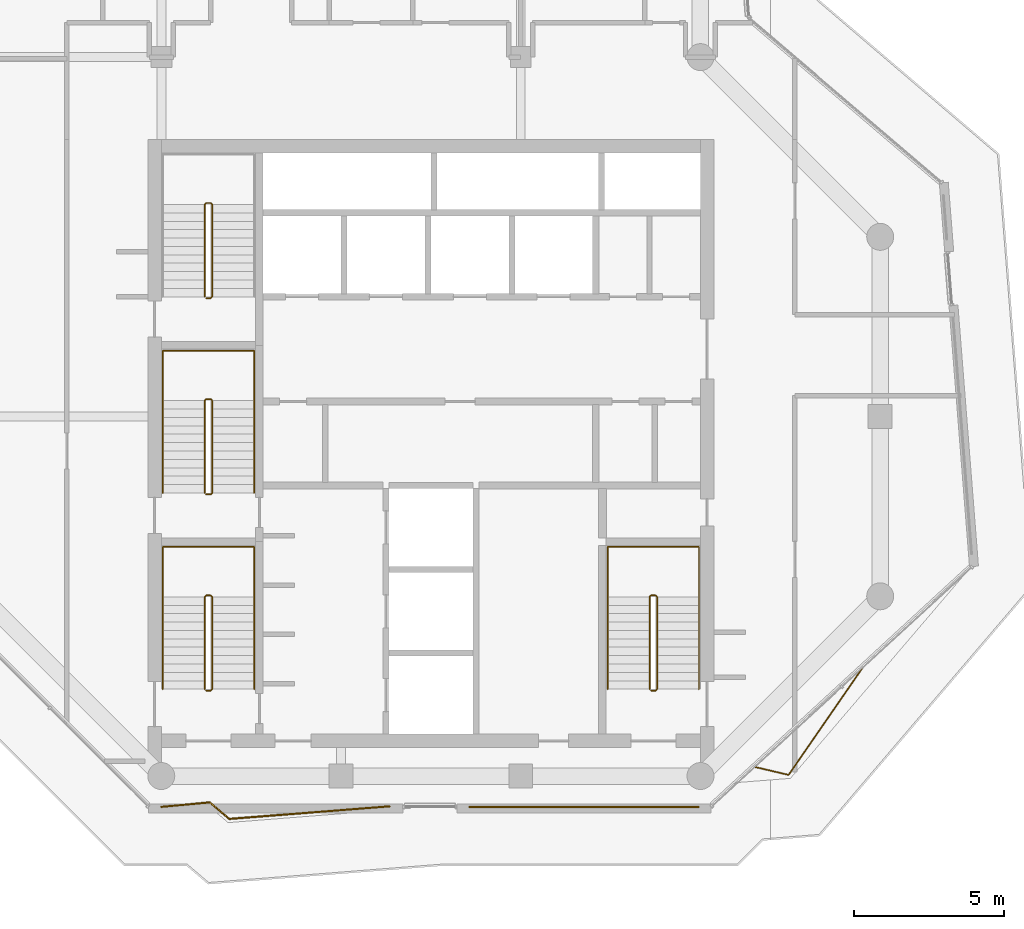
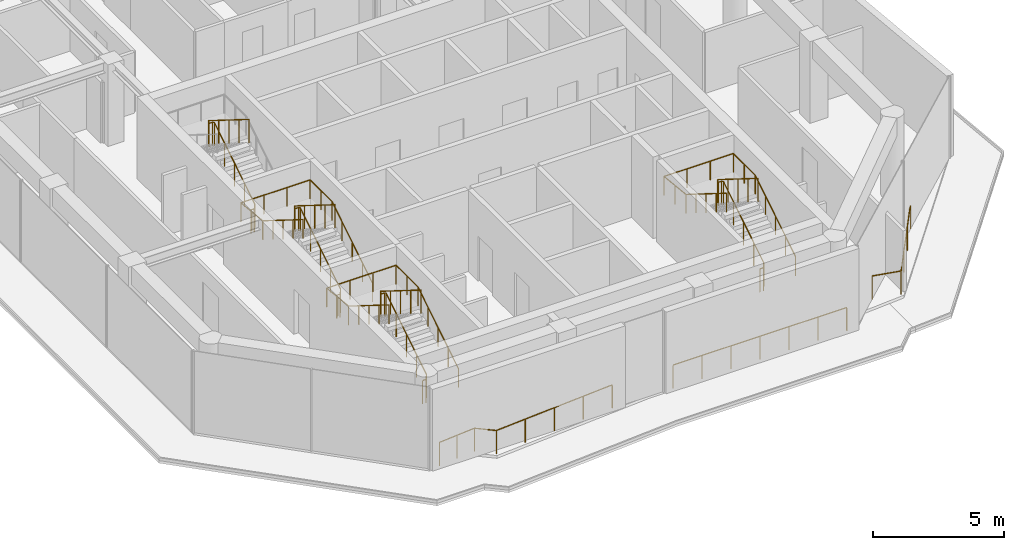
# One storey, part 22 of 23: 10 railings.
"""IFC4 building model written with IfcOpenShell, lengths in metres."""

import ifcopenshell
import ifcopenshell.guid

model = None  # the IFC model being written
_history = None  # IfcOwnerHistory: only IFC2X3 demands one
_inside = {}  # id of a spatial element -> (the spatial element, [elements in it])
_under = {}  # id of a project, library or spatial element -> (it, [spatial elements below it])
_declared = {}  # id of a project -> (the project, [libraries it declares])
_typed = {}  # id of a type object -> (the type object, [elements of that type])
_made_of = {}  # id of a material, layer set ... -> (it, [elements and type objects made of it])


def new_model(schema):
    """Start an empty IFC model of exactly this schema.

    Asked for "IFC4X3", IfcOpenShell would pick the latest addendum, in which some entities
    have other attributes; the version numbers below select the first issue.
    IFC2X3 requires an IfcOwnerHistory on every rooted entity: one is made here for all.
    """
    global model, _history
    if schema == "IFC4X3":
        model = ifcopenshell.file(schema_version=(4, 3, 0, 0))
    else:
        model = ifcopenshell.file(schema=schema)
    _inside.clear()
    _under.clear()
    _declared.clear()
    _typed.clear()
    _made_of.clear()
    _history = None
    if model.schema == "IFC2X3":
        org = make("IfcOrganization", Name="unknown")
        user = make(
            "IfcPersonAndOrganization",
            ThePerson=make("IfcPerson", FamilyName="unknown"),
            TheOrganization=org,
        )
        app = make(
            "IfcApplication",
            ApplicationDeveloper=org,
            Version="unknown",
            ApplicationFullName="unknown",
            ApplicationIdentifier="unknown",
        )
        _history = make(
            "IfcOwnerHistory",
            OwningUser=user,
            OwningApplication=app,
            ChangeAction="ADDED",
            CreationDate=0,
        )
    return model


def make(cls, **values):
    """One entity of the class cls with the attributes given. An attribute that is None is left unset."""
    return model.create_entity(
        cls, **{name: value for name, value in values.items() if value is not None}
    )


def rooted(cls, **values):
    """An entity with a GlobalId (a new one), such as an element, a storey or a relation."""
    return make(cls, GlobalId=ifcopenshell.guid.new(), OwnerHistory=_history, **values)


def si_unit(unit_type, name, prefix=None):
    """IfcSIUnit, for example si_unit("LENGTHUNIT", "METRE", prefix="MILLI")."""
    return make("IfcSIUnit", UnitType=unit_type, Prefix=prefix, Name=name)


def assignment(units):
    """IfcUnitAssignment: the units of a project."""
    return None if units is None else make("IfcUnitAssignment", Units=units)


def point(xyz):
    """IfcCartesianPoint."""
    return None if xyz is None else make("IfcCartesianPoint", Coordinates=xyz)


def direction(xyz):
    """IfcDirection."""
    return None if xyz is None else make("IfcDirection", DirectionRatios=xyz)


def frame(location, z_axis=None, x_axis=None):
    """IfcAxis2Placement3D, a coordinate frame: its origin and axes. An axis left out is left unset."""
    return make(
        "IfcAxis2Placement3D",
        Location=point(location),
        Axis=direction(z_axis),
        RefDirection=direction(x_axis),
    )


def frame_2d(location, x_axis=None):
    """IfcAxis2Placement2D, a coordinate frame in the plane: its origin and x axis."""
    return make(
        "IfcAxis2Placement2D", Location=point(location), RefDirection=direction(x_axis)
    )


def origin():
    """The frame at (0, 0, 0) with its axes left unset."""
    return frame((0.0, 0.0, 0.0))


def origin_2d():
    """The frame at (0, 0) in the plane with its x axis left unset."""
    return frame_2d((0.0, 0.0))


def place(relative_to, where):
    """IfcLocalPlacement: puts the frame where relative to a parent placement (None: the world)."""
    return make(
        "IfcLocalPlacement", PlacementRelTo=relative_to, RelativePlacement=where
    )


def context(
    kind, dimensions, precision=None, world=None, true_north=None, identifier=None
):
    """IfcGeometricRepresentationContext, for example the 3D "Model" context."""
    return make(
        "IfcGeometricRepresentationContext",
        ContextIdentifier=identifier,
        ContextType=kind,
        CoordinateSpaceDimension=dimensions,
        Precision=precision,
        WorldCoordinateSystem=world,
        TrueNorth=true_north,
    )


def subcontext(parent, identifier, kind, view, scale=None):
    """IfcGeometricRepresentationSubContext, for example "Body" below "Model"."""
    return make(
        "IfcGeometricRepresentationSubContext",
        ContextIdentifier=identifier,
        ContextType=kind,
        ParentContext=parent,
        TargetScale=scale,
        TargetView=view,
    )


def project(units=None, contexts=None):
    """IfcProject with its units and contexts."""
    return rooted(
        "IfcProject",
        Name="project",
        RepresentationContexts=contexts,
        UnitsInContext=assignment(units),
    )


def spatial(cls, under=None, at=None, **own):
    """A site, building, storey or space (cls), placed at a placement, below another one or the project."""
    s = rooted(cls, ObjectPlacement=at, **own)
    if under is not None:
        _under.setdefault(under.id(), (under, []))[1].append(s)
    return s


def profile(cls, at=None, kind="AREA", **sizes):
    """A parametric profile (cls). Its sizes go by their IFC names, for example OverallWidth=200.0."""
    return make(cls, ProfileType=kind, Position=at, **sizes)


def circle(**sizes):
    """IfcCircleProfileDef."""
    return profile("IfcCircleProfileDef", **sizes)


def extrude(swept, where, along, depth):
    """IfcExtrudedAreaSolid: the profile swept, set in the frame where, extruded along a direction by depth."""
    return make(
        "IfcExtrudedAreaSolid",
        SweptArea=swept,
        Position=where,
        ExtrudedDirection=direction(along),
        Depth=depth,
    )


def shape(context_of_items, identifier, shape_type, items):
    """IfcShapeRepresentation: the items that make up one representation, for example the "Body"."""
    return make(
        "IfcShapeRepresentation",
        ContextOfItems=context_of_items,
        RepresentationIdentifier=identifier,
        RepresentationType=shape_type,
        Items=items,
    )


def material(Name=None, Category=None):
    """IfcMaterial."""
    return make("IfcMaterial", Name=Name, Category=Category)


def made_of(thing, what):
    """Note that an element or type object is made of a material, layer set ...; save() writes the relation."""
    if what is not None:
        _made_of.setdefault(what.id(), (what, []))[1].append(thing)
    return thing


def type_object(cls, material=None, **own):
    """A type object (cls), such as IfcWallType, which elements share."""
    return made_of(rooted(cls, **own), material)


def element(
    cls,
    number,
    at=None,
    inside=None,
    cuts=None,
    type_object=None,
    material=None,
    context=None,
    identifier="Body",
    shape_type=None,
    held_by="IfcProductDefinitionShape",
    body=None,
    shapes=None,
    **own,
):
    """One element of the class cls, such as IfcWall. Its Tag is "e" and its number.

    at: its placement. inside: the storey or other place that contains it. cuts: it is an
    opening in that element (IfcRelVoidsElement). A single representation is given by context,
    identifier, shape_type and body (its items); several are given by shapes. held_by: the class
    of the entity that holds the representations. save() writes the other relations.
    """
    e = rooted(cls, Tag="e%d" % number, ObjectPlacement=at, **own)
    if body is not None:
        shapes = [shape(context, identifier, shape_type, body)]
    if shapes is not None:
        e.Representation = make(held_by, Representations=shapes)
    if inside is not None:
        _inside.setdefault(inside.id(), (inside, []))[1].append(e)
    if cuts is not None:
        rooted(
            "IfcRelVoidsElement", RelatingBuildingElement=cuts, RelatedOpeningElement=e
        )
    if type_object is not None:
        _typed.setdefault(type_object.id(), (type_object, []))[1].append(e)
    return made_of(e, material)


def aggregate(whole, parts):
    """IfcRelAggregates: a whole, such as a stair, and the parts it consists of."""
    return rooted("IfcRelAggregates", RelatingObject=whole, RelatedObjects=parts)


def save(model, path):
    """Write the relations noted so far, then the file.

    IfcRelAggregates (storeys below a building ...), IfcRelContainedInSpatialStructure (elements
    in a storey), IfcRelDefinesByType, IfcRelAssociatesMaterial and IfcRelDeclares: one each for
    every whole, place, type object, material and project.
    """
    for whole, parts in _under.values():
        aggregate(whole, parts)
    for where, things in _inside.values():
        rooted(
            "IfcRelContainedInSpatialStructure",
            RelatedElements=things,
            RelatingStructure=where,
        )
    for kind, things in _typed.values():
        rooted("IfcRelDefinesByType", RelatedObjects=things, RelatingType=kind)
    for what, things in _made_of.values():
        rooted("IfcRelAssociatesMaterial", RelatedObjects=things, RelatingMaterial=what)
    for by, libraries in _declared.values():
        rooted("IfcRelDeclares", RelatingContext=by, RelatedDefinitions=libraries)
    model.write(path)


model = new_model("IFC4")

# Units and contexts
model_context = context("Model", 3, precision=1e-05, world=origin(), true_north=direction((0.0, 1.0)))
body_context = subcontext(model_context, "Body", "Model", "MODEL_VIEW")
ifc_project = project(units=[si_unit("LENGTHUNIT", "METRE"), si_unit("AREAUNIT", "SQUARE_METRE"), si_unit("VOLUMEUNIT", "CUBIC_METRE"), si_unit("PLANEANGLEUNIT", "RADIAN"), si_unit("MASSUNIT", "GRAM", prefix="KILO")], contexts=[model_context])

# Site, building, storey
site_placement = place(None, origin())
site = spatial("IfcSite", under=ifc_project, at=site_placement, CompositionType="ELEMENT")
building_placement = place(site_placement, origin())
building = spatial("IfcBuilding", under=site, at=building_placement, Name="Welwitschia Terrace Campus", CompositionType="ELEMENT")
storey_placement = place(building_placement, frame((0.0, 0.0, 209.60009765625)))
storey = spatial("IfcBuildingStorey", under=building, at=storey_placement, Name="L46", CompositionType="ELEMENT", Elevation=209.60009765625)

# Railings
ifc_material_1 = material(Name="Stainless steel grade 316", Category="steel")
railing_type_1 = type_object("IfcRailingType", Name="Guard 1100", PredefinedType="GUARDRAIL", material=ifc_material_1)
railing_1_placement = place(storey_placement, frame((13.616943359375, 2.989013671875, 0.0)))
element("IfcRailing", 1, at=railing_1_placement, inside=storey, type_object=railing_type_1, Name="Guard floor edge L46.1", PredefinedType="GUARDRAIL", context=body_context, shape_type="SweptSolid", body=[
    extrude(circle(Radius=0.02392578125, at=origin_2d()), frame((0.0, 0.0, 1.076171875), z_axis=(-0.996917952921, -0.078451227809, 0.0), x_axis=(0.078451227809, -0.996917952921, 0.0)), (0.0, 0.0, 1.0), 5.362060546875),
    extrude(circle(Radius=0.02392578125, at=origin_2d()), frame((-5.345458984375, -0.420654296875, 1.076171875), z_axis=(-0.760391417932, 0.649465081075, 0.0), x_axis=(-0.649465081075, -0.760391417932, 0.0)), (0.0, 0.0, 1.0), 0.849609375),
    extrude(circle(Radius=0.02392578125, at=origin_2d()), frame((-5.991455078125, 0.131103515625, 1.076171875), z_axis=(-0.995776133678, -0.091814441111, 0.0), x_axis=(0.091814441111, -0.995776133678, 0.0)), (0.0, 0.0, 1.0), 1.63525390625),
    extrude(circle(Radius=0.02099609375, at=origin_2d()), origin(), (0.0, 0.0, 1.0), 1.052001953125),
    extrude(circle(Radius=0.02099609375, at=origin_2d()), frame((-1.33642578125, -0.105224609375, 0.0)), (0.0, 0.0, 1.0), 1.052001953125),
    extrude(circle(Radius=0.02099609375, at=origin_2d()), frame((-2.6728515625, -0.21044921875, 0.0)), (0.0, 0.0, 1.0), 1.052001953125),
    extrude(circle(Radius=0.02099609375, at=origin_2d()), frame((-4.009033203125, -0.3154296875, 0.0)), (0.0, 0.0, 1.0), 1.052001953125),
    extrude(circle(Radius=0.02099609375, at=origin_2d()), frame((-5.345458984375, -0.420654296875, 0.0)), (0.0, 0.0, 1.0), 1.052001953125),
    extrude(circle(Radius=0.02099609375, at=origin_2d()), frame((-5.991455078125, 0.131103515625, 0.0)), (0.0, 0.0, 1.0), 1.052001953125),
    extrude(circle(Radius=0.02099609375, at=origin_2d()), frame((-6.8056640625, 0.05615234375, 0.0)), (0.0, 0.0, 1.0), 1.052001953125),
    extrude(circle(Radius=0.02099609375, at=origin_2d()), frame((-7.619873046875, -0.01904296875, 0.0)), (0.0, 0.0, 1.0), 1.052001953125),
])
railing_2_placement = place(storey_placement, frame((23.9345703125, 2.969970703125, 0.0)))
element("IfcRailing", 2, at=railing_2_placement, inside=storey, type_object=railing_type_1, Name="Guard floor edge L46.3", PredefinedType="GUARDRAIL", context=body_context, shape_type="SweptSolid", body=[
    extrude(circle(Radius=0.02392578125, at=origin_2d()), frame((0.0, 0.0, 1.076171875), z_axis=(-1.0, 0.0, 0.0), x_axis=(0.0, -1.0, 0.0)), (0.0, 0.0, 1.0), 7.644775390625),
    extrude(circle(Radius=0.02099609375, at=origin_2d()), origin(), (0.0, 0.0, 1.0), 1.052001953125),
    extrude(circle(Radius=0.02099609375, at=origin_2d()), frame((-1.274169921875, 0.0, 0.0)), (0.0, 0.0, 1.0), 1.052001953125),
    extrude(circle(Radius=0.02099609375, at=origin_2d()), frame((-2.54833984375, 0.0, 0.0)), (0.0, 0.0, 1.0), 1.052001953125),
    extrude(circle(Radius=0.02099609375, at=origin_2d()), frame((-3.822265625, 0.0, 0.0)), (0.0, 0.0, 1.0), 1.052001953125),
    extrude(circle(Radius=0.02099609375, at=origin_2d()), frame((-5.096435546875, 0.0, 0.0)), (0.0, 0.0, 1.0), 1.052001953125),
    extrude(circle(Radius=0.02099609375, at=origin_2d()), frame((-6.37060546875, 0.0, 0.0)), (0.0, 0.0, 1.0), 1.052001953125),
    extrude(circle(Radius=0.02099609375, at=origin_2d()), frame((-7.644775390625, 0.0, 0.0)), (0.0, 0.0, 1.0), 1.052001953125),
])
railing_3_placement = place(storey_placement, frame((29.4189453125, 7.625244140625, 0.0)))
element("IfcRailing", 3, at=railing_3_placement, inside=storey, type_object=railing_type_1, Name="Guard floor edge L46.5", PredefinedType="GUARDRAIL", context=body_context, shape_type="SweptSolid", body=[
    extrude(circle(Radius=0.02392578125, at=origin_2d()), frame((0.0, 0.0, 1.076171875), z_axis=(-0.568082352485, -0.822971713241, 0.0), x_axis=(0.822971713241, -0.568082352485, 0.0)), (0.0, 0.0, 1.0), 4.359130859375),
    extrude(circle(Radius=0.02392578125, at=origin_2d()), frame((-2.476318359375, -3.58740234375, 1.076171875), z_axis=(-0.973601028447, 0.22825651668, 0.0), x_axis=(-0.22825651668, -0.973601028447, 0.0)), (0.0, 0.0, 1.0), 1.164794921875),
    extrude(circle(Radius=0.02099609375, at=origin_2d()), origin(), (0.0, 0.0, 1.0), 1.052001953125),
    extrude(circle(Radius=0.02099609375, at=origin_2d()), frame((-0.825439453125, -1.19580078125, 0.0)), (0.0, 0.0, 1.0), 1.052001953125),
    extrude(circle(Radius=0.02099609375, at=origin_2d()), frame((-1.65087890625, -2.3916015625, 0.0)), (0.0, 0.0, 1.0), 1.052001953125),
    extrude(circle(Radius=0.02099609375, at=origin_2d()), frame((-2.476318359375, -3.58740234375, 0.0)), (0.0, 0.0, 1.0), 1.052001953125),
    extrude(circle(Radius=0.02099609375, at=origin_2d()), frame((-3.6103515625, -3.321533203125, 0.0)), (0.0, 0.0, 1.0), 1.052001953125),
])
ifc_material_2 = material(Name="Steel S355", Category="steel")
railing_type_2 = type_object("IfcRailingType", Name="Stair guard 1100", PredefinedType="GUARDRAIL", material=ifc_material_2)
railing_4_placement = place(storey_placement, frame((7.5, 6.85009765625, 0.0)))
element("IfcRailing", 4, at=railing_4_placement, inside=storey, type_object=railing_type_2, Name="L46 S1 stair guard", PredefinedType="GUARDRAIL", context=body_context, shape_type="SweptSolid", body=[
    extrude(circle(Radius=0.02392578125, at=origin_2d()), frame((0.0, 0.0, 1.076171875), z_axis=(1.0, 0.0, 0.0), x_axis=(0.0, 1.0, 0.0)), (0.0, 0.0, 1.0), 0.14990234375),
    extrude(circle(Radius=0.02392578125, at=origin_2d()), frame((0.14990234375, 0.0, 1.076171875), z_axis=(0.265474339444, 0.264179342666, 0.927217692888), x_axis=(-0.705375805398, 0.708833529934, 0.0)), (0.0, 0.0, 1.0), 0.1884765625),
    extrude(circle(Radius=0.02392578125, at=origin_2d()), frame((0.199951171875, 0.0498046875, 1.2509765625), z_axis=(0.0, 0.847998304005, 0.529998940003), x_axis=(-1.0, 0.0, 0.0)), (0.0, 0.0, 1.0), 3.632080078125),
    extrude(circle(Radius=0.02392578125, at=origin_2d()), frame((0.199951171875, 3.1298828125, 3.17578125), z_axis=(-0.707106781187, 0.707106781187, 0.0), x_axis=(-0.707106781187, -0.707106781187, 0.0)), (0.0, 0.0, 1.0), 0.07080078125),
    extrude(circle(Radius=0.02392578125, at=origin_2d()), frame((0.14990234375, 3.179931640625, 3.17578125), z_axis=(-1.0, 0.0, 0.0), x_axis=(0.0, -1.0, 0.0)), (0.0, 0.0, 1.0), 0.14990234375),
    extrude(circle(Radius=0.02392578125, at=origin_2d()), frame((0.0, 3.179931640625, 3.17578125), z_axis=(-0.265065253269, -0.265065253269, 0.927081885822), x_axis=(0.707106781187, -0.707106781187, 0.0)), (0.0, 0.0, 1.0), 0.188720703125),
    extrude(circle(Radius=0.02392578125, at=origin_2d()), frame((-0.050048828125, 3.1298828125, 3.35107421875), z_axis=(0.0, -0.847998304005, 0.529998940003), x_axis=(1.0, 0.0, 0.0)), (0.0, 0.0, 1.0), 3.632080078125),
    extrude(circle(Radius=0.02099609375, at=origin_2d()), origin(), (0.0, 0.0, 1.0), 1.052001953125),
    extrude(circle(Radius=0.02099609375, at=origin_2d()), frame((0.14990234375, 0.0, 0.0)), (0.0, 0.0, 1.0), 1.052001953125),
    extrude(circle(Radius=0.02099609375, at=origin_2d()), frame((0.199951171875, 0.0498046875, 0.1748046875)), (0.0, 0.0, 1.0), 1.052001953125),
    extrude(circle(Radius=0.02099609375, at=origin_2d()), frame((0.199951171875, 0.81982421875, 0.656005859375)), (0.0, 0.0, 1.0), 1.052001953125),
    extrude(circle(Radius=0.02099609375, at=origin_2d()), frame((0.199951171875, 1.58984375, 1.13720703125)), (0.0, 0.0, 1.0), 1.052001953125),
    extrude(circle(Radius=0.02099609375, at=origin_2d()), frame((0.199951171875, 2.35986328125, 1.61865234375)), (0.0, 0.0, 1.0), 1.052001953125),
    extrude(circle(Radius=0.02099609375, at=origin_2d()), frame((0.199951171875, 3.1298828125, 2.099853515625)), (0.0, 0.0, 1.0), 1.052001953125),
    extrude(circle(Radius=0.02099609375, at=origin_2d()), frame((0.14990234375, 3.179931640625, 2.099853515625)), (0.0, 0.0, 1.0), 1.052001953125),
    extrude(circle(Radius=0.02099609375, at=origin_2d()), frame((0.0, 3.179931640625, 2.099853515625)), (0.0, 0.0, 1.0), 1.052001953125),
    extrude(circle(Radius=0.02099609375, at=origin_2d()), frame((-0.050048828125, 3.1298828125, 2.27490234375)), (0.0, 0.0, 1.0), 1.052001953125),
    extrude(circle(Radius=0.02099609375, at=origin_2d()), frame((-0.050048828125, 2.35986328125, 2.756103515625)), (0.0, 0.0, 1.0), 1.052001953125),
    extrude(circle(Radius=0.02099609375, at=origin_2d()), frame((-0.050048828125, 1.58984375, 3.2373046875)), (0.0, 0.0, 1.0), 1.052001953125),
    extrude(circle(Radius=0.02099609375, at=origin_2d()), frame((-0.050048828125, 0.81982421875, 3.71875)), (0.0, 0.0, 1.0), 1.052001953125),
    extrude(circle(Radius=0.02099609375, at=origin_2d()), frame((-0.050048828125, 0.0498046875, 4.199951171875)), (0.0, 0.0, 1.0), 1.052001953125),
])
railing_5_placement = place(storey_placement, frame((7.5, 13.39990234375, 0.0)))
element("IfcRailing", 5, at=railing_5_placement, inside=storey, type_object=railing_type_2, Name="L46 S3 stair guard", PredefinedType="GUARDRAIL", context=body_context, shape_type="SweptSolid", body=[
    extrude(circle(Radius=0.02392578125, at=origin_2d()), frame((0.0, 0.0, 1.076171875), z_axis=(1.0, 0.0, 0.0), x_axis=(0.0, 1.0, 0.0)), (0.0, 0.0, 1.0), 0.14990234375),
    extrude(circle(Radius=0.02392578125, at=origin_2d()), frame((0.14990234375, 0.0, 1.076171875), z_axis=(0.265383341853, 0.265383341853, 0.926899867156), x_axis=(-0.707106781187, 0.707106781187, 0.0)), (0.0, 0.0, 1.0), 0.1884765625),
    extrude(circle(Radius=0.02392578125, at=origin_2d()), frame((0.199951171875, 0.050048828125, 1.2509765625), z_axis=(0.0, 0.847998304005, 0.529998940003), x_axis=(-1.0, 0.0, 0.0)), (0.0, 0.0, 1.0), 3.632080078125),
    extrude(circle(Radius=0.02392578125, at=origin_2d()), frame((0.199951171875, 3.130126953125, 3.17578125), z_axis=(-0.707106781187, 0.707106781187, 0.0), x_axis=(-0.707106781187, -0.707106781187, 0.0)), (0.0, 0.0, 1.0), 0.07080078125),
    extrude(circle(Radius=0.02392578125, at=origin_2d()), frame((0.14990234375, 3.18017578125, 3.17578125), z_axis=(-1.0, 0.0, 0.0), x_axis=(0.0, -1.0, 0.0)), (0.0, 0.0, 1.0), 0.14990234375),
    extrude(circle(Radius=0.02392578125, at=origin_2d()), frame((0.0, 3.18017578125, 3.17578125), z_axis=(-0.265065253269, -0.265065253269, 0.927081885822), x_axis=(0.707106781187, -0.707106781187, 0.0)), (0.0, 0.0, 1.0), 0.188720703125),
    extrude(circle(Radius=0.02392578125, at=origin_2d()), frame((-0.050048828125, 3.130126953125, 3.35107421875), z_axis=(0.0, -0.847998304005, 0.529998940003), x_axis=(1.0, 0.0, 0.0)), (0.0, 0.0, 1.0), 3.632080078125),
    extrude(circle(Radius=0.02099609375, at=origin_2d()), origin(), (0.0, 0.0, 1.0), 1.052001953125),
    extrude(circle(Radius=0.02099609375, at=origin_2d()), frame((0.14990234375, 0.0, 0.0)), (0.0, 0.0, 1.0), 1.052001953125),
    extrude(circle(Radius=0.02099609375, at=origin_2d()), frame((0.199951171875, 0.050048828125, 0.1748046875)), (0.0, 0.0, 1.0), 1.052001953125),
    extrude(circle(Radius=0.02099609375, at=origin_2d()), frame((0.199951171875, 0.820068359375, 0.656005859375)), (0.0, 0.0, 1.0), 1.052001953125),
    extrude(circle(Radius=0.02099609375, at=origin_2d()), frame((0.199951171875, 1.590087890625, 1.13720703125)), (0.0, 0.0, 1.0), 1.052001953125),
    extrude(circle(Radius=0.02099609375, at=origin_2d()), frame((0.199951171875, 2.360107421875, 1.61865234375)), (0.0, 0.0, 1.0), 1.052001953125),
    extrude(circle(Radius=0.02099609375, at=origin_2d()), frame((0.199951171875, 3.130126953125, 2.099853515625)), (0.0, 0.0, 1.0), 1.052001953125),
    extrude(circle(Radius=0.02099609375, at=origin_2d()), frame((0.14990234375, 3.18017578125, 2.099853515625)), (0.0, 0.0, 1.0), 1.052001953125),
    extrude(circle(Radius=0.02099609375, at=origin_2d()), frame((0.0, 3.18017578125, 2.099853515625)), (0.0, 0.0, 1.0), 1.052001953125),
    extrude(circle(Radius=0.02099609375, at=origin_2d()), frame((-0.050048828125, 3.130126953125, 2.27490234375)), (0.0, 0.0, 1.0), 1.052001953125),
    extrude(circle(Radius=0.02099609375, at=origin_2d()), frame((-0.050048828125, 2.360107421875, 2.756103515625)), (0.0, 0.0, 1.0), 1.052001953125),
    extrude(circle(Radius=0.02099609375, at=origin_2d()), frame((-0.050048828125, 1.590087890625, 3.2373046875)), (0.0, 0.0, 1.0), 1.052001953125),
    extrude(circle(Radius=0.02099609375, at=origin_2d()), frame((-0.050048828125, 0.820068359375, 3.71875)), (0.0, 0.0, 1.0), 1.052001953125),
    extrude(circle(Radius=0.02099609375, at=origin_2d()), frame((-0.050048828125, 0.050048828125, 4.199951171875)), (0.0, 0.0, 1.0), 1.052001953125),
])
railing_6_placement = place(storey_placement, frame((7.5, 19.949951171875, 0.0)))
element("IfcRailing", 6, at=railing_6_placement, inside=storey, type_object=railing_type_2, Name="L46 S4 stair guard", PredefinedType="GUARDRAIL", context=body_context, shape_type="SweptSolid", body=[
    extrude(circle(Radius=0.02392578125, at=origin_2d()), frame((0.0, 0.0, 1.076171875), z_axis=(1.0, 0.0, 0.0), x_axis=(0.0, 1.0, 0.0)), (0.0, 0.0, 1.0), 0.14990234375),
    extrude(circle(Radius=0.02392578125, at=origin_2d()), frame((0.14990234375, 0.0, 1.076171875), z_axis=(0.265383341853, 0.265383341853, 0.926899867156), x_axis=(-0.707106781187, 0.707106781187, 0.0)), (0.0, 0.0, 1.0), 0.1884765625),
    extrude(circle(Radius=0.02392578125, at=origin_2d()), frame((0.199951171875, 0.050048828125, 1.2509765625), z_axis=(0.0, 0.847998304005, 0.529998940003), x_axis=(-1.0, 0.0, 0.0)), (0.0, 0.0, 1.0), 3.632080078125),
    extrude(circle(Radius=0.02392578125, at=origin_2d()), frame((0.199951171875, 3.130126953125, 3.17578125), z_axis=(-0.708833529934, 0.705375805398, 0.0), x_axis=(-0.705375805398, -0.708833529934, 0.0)), (0.0, 0.0, 1.0), 0.070556640625),
    extrude(circle(Radius=0.02392578125, at=origin_2d()), frame((0.14990234375, 3.179931640625, 3.17578125), z_axis=(-1.0, 0.0, 0.0), x_axis=(0.0, -1.0, 0.0)), (0.0, 0.0, 1.0), 0.14990234375),
    extrude(circle(Radius=0.02392578125, at=origin_2d()), frame((0.0, 3.179931640625, 3.17578125), z_axis=(-0.265155923931, -0.263862480399, 0.927399011991), x_axis=(0.705375805398, -0.708833529934, 0.0)), (0.0, 0.0, 1.0), 0.188720703125),
    extrude(circle(Radius=0.02392578125, at=origin_2d()), frame((-0.050048828125, 3.130126953125, 3.35107421875), z_axis=(0.0, -0.847998304005, 0.529998940003), x_axis=(1.0, 0.0, 0.0)), (0.0, 0.0, 1.0), 3.632080078125),
    extrude(circle(Radius=0.02099609375, at=origin_2d()), origin(), (0.0, 0.0, 1.0), 1.052001953125),
    extrude(circle(Radius=0.02099609375, at=origin_2d()), frame((0.14990234375, 0.0, 0.0)), (0.0, 0.0, 1.0), 1.052001953125),
    extrude(circle(Radius=0.02099609375, at=origin_2d()), frame((0.199951171875, 0.050048828125, 0.1748046875)), (0.0, 0.0, 1.0), 1.052001953125),
    extrude(circle(Radius=0.02099609375, at=origin_2d()), frame((0.199951171875, 0.820068359375, 0.656005859375)), (0.0, 0.0, 1.0), 1.052001953125),
    extrude(circle(Radius=0.02099609375, at=origin_2d()), frame((0.199951171875, 1.590087890625, 1.13720703125)), (0.0, 0.0, 1.0), 1.052001953125),
    extrude(circle(Radius=0.02099609375, at=origin_2d()), frame((0.199951171875, 2.360107421875, 1.61865234375)), (0.0, 0.0, 1.0), 1.052001953125),
    extrude(circle(Radius=0.02099609375, at=origin_2d()), frame((0.199951171875, 3.130126953125, 2.099853515625)), (0.0, 0.0, 1.0), 1.052001953125),
    extrude(circle(Radius=0.02099609375, at=origin_2d()), frame((0.14990234375, 3.179931640625, 2.099853515625)), (0.0, 0.0, 1.0), 1.052001953125),
    extrude(circle(Radius=0.02099609375, at=origin_2d()), frame((0.0, 3.179931640625, 2.099853515625)), (0.0, 0.0, 1.0), 1.052001953125),
    extrude(circle(Radius=0.02099609375, at=origin_2d()), frame((-0.050048828125, 3.130126953125, 2.27490234375)), (0.0, 0.0, 1.0), 1.052001953125),
    extrude(circle(Radius=0.02099609375, at=origin_2d()), frame((-0.050048828125, 2.360107421875, 2.756103515625)), (0.0, 0.0, 1.0), 1.052001953125),
    extrude(circle(Radius=0.02099609375, at=origin_2d()), frame((-0.050048828125, 1.590087890625, 3.2373046875)), (0.0, 0.0, 1.0), 1.052001953125),
    extrude(circle(Radius=0.02099609375, at=origin_2d()), frame((-0.050048828125, 0.820068359375, 3.71875)), (0.0, 0.0, 1.0), 1.052001953125),
    extrude(circle(Radius=0.02099609375, at=origin_2d()), frame((-0.050048828125, 0.050048828125, 4.199951171875)), (0.0, 0.0, 1.0), 1.052001953125),
])
railing_7_placement = place(storey_placement, frame((22.35009765625, 6.85009765625, 0.0)))
element("IfcRailing", 7, at=railing_7_placement, inside=storey, type_object=railing_type_2, Name="L46 S2 stair guard", PredefinedType="GUARDRAIL", context=body_context, shape_type="SweptSolid", body=[
    extrude(circle(Radius=0.02392578125, at=origin_2d()), frame((0.0, 0.0, 1.076171875), z_axis=(1.0, 0.0, 0.0), x_axis=(0.0, 1.0, 0.0)), (0.0, 0.0, 1.0), 0.14990234375),
    extrude(circle(Radius=0.02392578125, at=origin_2d()), frame((0.14990234375, 0.0, 1.076171875), z_axis=(0.265474339444, 0.264179342666, 0.927217692888), x_axis=(-0.705375805398, 0.708833529934, 0.0)), (0.0, 0.0, 1.0), 0.1884765625),
    extrude(circle(Radius=0.02392578125, at=origin_2d()), frame((0.199951171875, 0.0498046875, 1.2509765625), z_axis=(0.0, 0.847998304005, 0.529998940003), x_axis=(-1.0, 0.0, 0.0)), (0.0, 0.0, 1.0), 3.632080078125),
    extrude(circle(Radius=0.02392578125, at=origin_2d()), frame((0.199951171875, 3.1298828125, 3.17578125), z_axis=(-0.707106781187, 0.707106781187, 0.0), x_axis=(-0.707106781187, -0.707106781187, 0.0)), (0.0, 0.0, 1.0), 0.07080078125),
    extrude(circle(Radius=0.02392578125, at=origin_2d()), frame((0.14990234375, 3.179931640625, 3.17578125), z_axis=(-1.0, 0.0, 0.0), x_axis=(0.0, -1.0, 0.0)), (0.0, 0.0, 1.0), 0.14990234375),
    extrude(circle(Radius=0.02392578125, at=origin_2d()), frame((0.0, 3.179931640625, 3.17578125), z_axis=(-0.265065253269, -0.265065253269, 0.927081885822), x_axis=(0.707106781187, -0.707106781187, 0.0)), (0.0, 0.0, 1.0), 0.188720703125),
    extrude(circle(Radius=0.02392578125, at=origin_2d()), frame((-0.050048828125, 3.1298828125, 3.35107421875), z_axis=(0.0, -0.847998304005, 0.529998940003), x_axis=(1.0, 0.0, 0.0)), (0.0, 0.0, 1.0), 3.632080078125),
    extrude(circle(Radius=0.02099609375, at=origin_2d()), origin(), (0.0, 0.0, 1.0), 1.052001953125),
    extrude(circle(Radius=0.02099609375, at=origin_2d()), frame((0.14990234375, 0.0, 0.0)), (0.0, 0.0, 1.0), 1.052001953125),
    extrude(circle(Radius=0.02099609375, at=origin_2d()), frame((0.199951171875, 0.0498046875, 0.1748046875)), (0.0, 0.0, 1.0), 1.052001953125),
    extrude(circle(Radius=0.02099609375, at=origin_2d()), frame((0.199951171875, 0.81982421875, 0.656005859375)), (0.0, 0.0, 1.0), 1.052001953125),
    extrude(circle(Radius=0.02099609375, at=origin_2d()), frame((0.199951171875, 1.58984375, 1.13720703125)), (0.0, 0.0, 1.0), 1.052001953125),
    extrude(circle(Radius=0.02099609375, at=origin_2d()), frame((0.199951171875, 2.35986328125, 1.61865234375)), (0.0, 0.0, 1.0), 1.052001953125),
    extrude(circle(Radius=0.02099609375, at=origin_2d()), frame((0.199951171875, 3.1298828125, 2.099853515625)), (0.0, 0.0, 1.0), 1.052001953125),
    extrude(circle(Radius=0.02099609375, at=origin_2d()), frame((0.14990234375, 3.179931640625, 2.099853515625)), (0.0, 0.0, 1.0), 1.052001953125),
    extrude(circle(Radius=0.02099609375, at=origin_2d()), frame((0.0, 3.179931640625, 2.099853515625)), (0.0, 0.0, 1.0), 1.052001953125),
    extrude(circle(Radius=0.02099609375, at=origin_2d()), frame((-0.050048828125, 3.1298828125, 2.27490234375)), (0.0, 0.0, 1.0), 1.052001953125),
    extrude(circle(Radius=0.02099609375, at=origin_2d()), frame((-0.050048828125, 2.35986328125, 2.756103515625)), (0.0, 0.0, 1.0), 1.052001953125),
    extrude(circle(Radius=0.02099609375, at=origin_2d()), frame((-0.050048828125, 1.58984375, 3.2373046875)), (0.0, 0.0, 1.0), 1.052001953125),
    extrude(circle(Radius=0.02099609375, at=origin_2d()), frame((-0.050048828125, 0.81982421875, 3.71875)), (0.0, 0.0, 1.0), 1.052001953125),
    extrude(circle(Radius=0.02099609375, at=origin_2d()), frame((-0.050048828125, 0.0498046875, 4.199951171875)), (0.0, 0.0, 1.0), 1.052001953125),
])
ifc_material_3 = material(Name="Steel S355", Category="steel")
railing_type_3 = type_object("IfcRailingType", Name="Stair handrail 900", PredefinedType="HANDRAIL", material=ifc_material_3)
railing_8_placement = place(storey_placement, frame((9.10009765625, 6.89990234375, 0.1748046875)))
element("IfcRailing", 8, at=railing_8_placement, inside=storey, type_object=railing_type_3, Name="L46 S1 stair handrail", PredefinedType="HANDRAIL", context=body_context, shape_type="SweptSolid", body=[
    extrude(circle(Radius=0.02392578125, at=origin_2d()), frame((0.0, 0.0, 0.8759765625), z_axis=(0.0, 0.847998304005, 0.529998940003), x_axis=(-1.0, 0.0, 0.0)), (0.0, 0.0, 1.0), 3.632080078125),
    extrude(circle(Radius=0.02392578125, at=origin_2d()), frame((0.0, 3.080078125, 2.80078125), z_axis=(0.0, 1.0, 0.0), x_axis=(-1.0, 0.0, 0.0)), (0.0, 0.0, 1.0), 1.669921875),
    extrude(circle(Radius=0.02392578125, at=origin_2d()), frame((0.0, 4.75, 2.80078125), z_axis=(-1.0, 0.0, 0.0), x_axis=(0.0, -1.0, 0.0)), (0.0, 0.0, 1.0), 3.050048828125),
    extrude(circle(Radius=0.02392578125, at=origin_2d()), frame((-3.050048828125, 4.75, 2.80078125), z_axis=(0.0, -0.99455077262, 0.104253348533), x_axis=(1.0, 0.0, 0.0)), (0.0, 0.0, 1.0), 1.678955078125),
    extrude(circle(Radius=0.02392578125, at=origin_2d()), frame((-3.050048828125, 3.080078125, 2.97607421875), z_axis=(0.0, -0.847998304005, 0.529998940003), x_axis=(1.0, 0.0, 0.0)), (0.0, 0.0, 1.0), 3.632080078125),
    extrude(circle(Radius=0.02099609375, at=origin_2d()), origin(), (0.0, 0.0, 1.0), 0.851806640625),
    extrude(circle(Radius=0.02099609375, at=origin_2d()), frame((0.0, 0.77001953125, 0.481201171875)), (0.0, 0.0, 1.0), 0.851806640625),
    extrude(circle(Radius=0.02099609375, at=origin_2d()), frame((0.0, 1.5400390625, 0.96240234375)), (0.0, 0.0, 1.0), 0.851806640625),
    extrude(circle(Radius=0.02099609375, at=origin_2d()), frame((0.0, 2.31005859375, 1.44384765625)), (0.0, 0.0, 1.0), 0.851806640625),
    extrude(circle(Radius=0.02099609375, at=origin_2d()), frame((0.0, 3.080078125, 1.925048828125)), (0.0, 0.0, 1.0), 0.851806640625),
    extrude(circle(Radius=0.02099609375, at=origin_2d()), frame((0.0, 3.9150390625, 1.925048828125)), (0.0, 0.0, 1.0), 0.851806640625),
    extrude(circle(Radius=0.02099609375, at=origin_2d()), frame((0.0, 4.75, 1.925048828125)), (0.0, 0.0, 1.0), 0.851806640625),
    extrude(circle(Radius=0.02099609375, at=origin_2d()), frame((-1.0166015625, 4.75, 1.925048828125)), (0.0, 0.0, 1.0), 0.851806640625),
    extrude(circle(Radius=0.02099609375, at=origin_2d()), frame((-2.033447265625, 4.75, 1.925048828125)), (0.0, 0.0, 1.0), 0.851806640625),
    extrude(circle(Radius=0.02099609375, at=origin_2d()), frame((-3.050048828125, 4.75, 1.925048828125)), (0.0, 0.0, 1.0), 0.851806640625),
    extrude(circle(Radius=0.02099609375, at=origin_2d()), frame((-3.050048828125, 3.9150390625, 2.0126953125)), (0.0, 0.0, 1.0), 0.851806640625),
    extrude(circle(Radius=0.02099609375, at=origin_2d()), frame((-3.050048828125, 3.080078125, 2.10009765625)), (0.0, 0.0, 1.0), 0.851806640625),
    extrude(circle(Radius=0.02099609375, at=origin_2d()), frame((-3.050048828125, 2.31005859375, 2.581298828125)), (0.0, 0.0, 1.0), 0.851806640625),
    extrude(circle(Radius=0.02099609375, at=origin_2d()), frame((-3.050048828125, 1.5400390625, 3.0625)), (0.0, 0.0, 1.0), 0.851806640625),
    extrude(circle(Radius=0.02099609375, at=origin_2d()), frame((-3.050048828125, 0.77001953125, 3.5439453125)), (0.0, 0.0, 1.0), 0.851806640625),
    extrude(circle(Radius=0.02099609375, at=origin_2d()), frame((-3.050048828125, 0.0, 4.025146484375)), (0.0, 0.0, 1.0), 0.851806640625),
])
railing_9_placement = place(storey_placement, frame((9.10009765625, 13.449951171875, 0.1748046875)))
element("IfcRailing", 9, at=railing_9_placement, inside=storey, type_object=railing_type_3, Name="L46 S3 stair handrail", PredefinedType="HANDRAIL", context=body_context, shape_type="SweptSolid", body=[
    extrude(circle(Radius=0.02392578125, at=origin_2d()), frame((0.0, 0.0, 0.8759765625), z_axis=(0.0, 0.847998304005, 0.529998940003), x_axis=(-1.0, 0.0, 0.0)), (0.0, 0.0, 1.0), 3.632080078125),
    extrude(circle(Radius=0.02392578125, at=origin_2d()), frame((0.0, 3.080078125, 2.80078125), z_axis=(0.0, 1.0, 0.0), x_axis=(-1.0, 0.0, 0.0)), (0.0, 0.0, 1.0), 1.669921875),
    extrude(circle(Radius=0.02392578125, at=origin_2d()), frame((0.0, 4.75, 2.80078125), z_axis=(-1.0, 0.0, 0.0), x_axis=(0.0, -1.0, 0.0)), (0.0, 0.0, 1.0), 3.050048828125),
    extrude(circle(Radius=0.02392578125, at=origin_2d()), frame((-3.050048828125, 4.75, 2.80078125), z_axis=(0.0, -0.99455077262, 0.104253348533), x_axis=(1.0, 0.0, 0.0)), (0.0, 0.0, 1.0), 1.678955078125),
    extrude(circle(Radius=0.02392578125, at=origin_2d()), frame((-3.050048828125, 3.080078125, 2.97607421875), z_axis=(0.0, -0.847998304005, 0.529998940003), x_axis=(1.0, 0.0, 0.0)), (0.0, 0.0, 1.0), 3.632080078125),
    extrude(circle(Radius=0.02099609375, at=origin_2d()), origin(), (0.0, 0.0, 1.0), 0.851806640625),
    extrude(circle(Radius=0.02099609375, at=origin_2d()), frame((0.0, 0.77001953125, 0.481201171875)), (0.0, 0.0, 1.0), 0.851806640625),
    extrude(circle(Radius=0.02099609375, at=origin_2d()), frame((0.0, 1.5400390625, 0.96240234375)), (0.0, 0.0, 1.0), 0.851806640625),
    extrude(circle(Radius=0.02099609375, at=origin_2d()), frame((0.0, 2.31005859375, 1.44384765625)), (0.0, 0.0, 1.0), 0.851806640625),
    extrude(circle(Radius=0.02099609375, at=origin_2d()), frame((0.0, 3.080078125, 1.925048828125)), (0.0, 0.0, 1.0), 0.851806640625),
    extrude(circle(Radius=0.02099609375, at=origin_2d()), frame((0.0, 3.9150390625, 1.925048828125)), (0.0, 0.0, 1.0), 0.851806640625),
    extrude(circle(Radius=0.02099609375, at=origin_2d()), frame((0.0, 4.75, 1.925048828125)), (0.0, 0.0, 1.0), 0.851806640625),
    extrude(circle(Radius=0.02099609375, at=origin_2d()), frame((-1.0166015625, 4.75, 1.925048828125)), (0.0, 0.0, 1.0), 0.851806640625),
    extrude(circle(Radius=0.02099609375, at=origin_2d()), frame((-2.033447265625, 4.75, 1.925048828125)), (0.0, 0.0, 1.0), 0.851806640625),
    extrude(circle(Radius=0.02099609375, at=origin_2d()), frame((-3.050048828125, 4.75, 1.925048828125)), (0.0, 0.0, 1.0), 0.851806640625),
    extrude(circle(Radius=0.02099609375, at=origin_2d()), frame((-3.050048828125, 3.9150390625, 2.0126953125)), (0.0, 0.0, 1.0), 0.851806640625),
    extrude(circle(Radius=0.02099609375, at=origin_2d()), frame((-3.050048828125, 3.080078125, 2.10009765625)), (0.0, 0.0, 1.0), 0.851806640625),
    extrude(circle(Radius=0.02099609375, at=origin_2d()), frame((-3.050048828125, 2.31005859375, 2.581298828125)), (0.0, 0.0, 1.0), 0.851806640625),
    extrude(circle(Radius=0.02099609375, at=origin_2d()), frame((-3.050048828125, 1.5400390625, 3.0625)), (0.0, 0.0, 1.0), 0.851806640625),
    extrude(circle(Radius=0.02099609375, at=origin_2d()), frame((-3.050048828125, 0.77001953125, 3.5439453125)), (0.0, 0.0, 1.0), 0.851806640625),
    extrude(circle(Radius=0.02099609375, at=origin_2d()), frame((-3.050048828125, 0.0, 4.025146484375)), (0.0, 0.0, 1.0), 0.851806640625),
])
railing_10_placement = place(storey_placement, frame((23.949951171875, 6.89990234375, 0.1748046875)))
element("IfcRailing", 10, at=railing_10_placement, inside=storey, type_object=railing_type_3, Name="L46 S2 stair handrail", PredefinedType="HANDRAIL", context=body_context, shape_type="SweptSolid", body=[
    extrude(circle(Radius=0.02392578125, at=origin_2d()), frame((0.0, 0.0, 0.8759765625), z_axis=(0.0, 0.847998304005, 0.529998940003), x_axis=(-1.0, 0.0, 0.0)), (0.0, 0.0, 1.0), 3.632080078125),
    extrude(circle(Radius=0.02392578125, at=origin_2d()), frame((0.0, 3.080078125, 2.80078125), z_axis=(0.0, 1.0, 0.0), x_axis=(-1.0, 0.0, 0.0)), (0.0, 0.0, 1.0), 1.669921875),
    extrude(circle(Radius=0.02392578125, at=origin_2d()), frame((0.0, 4.75, 2.80078125), z_axis=(-1.0, 0.0, 0.0), x_axis=(0.0, -1.0, 0.0)), (0.0, 0.0, 1.0), 3.050048828125),
    extrude(circle(Radius=0.02392578125, at=origin_2d()), frame((-3.050048828125, 4.75, 2.80078125), z_axis=(0.0, -0.99455077262, 0.104253348533), x_axis=(1.0, 0.0, 0.0)), (0.0, 0.0, 1.0), 1.678955078125),
    extrude(circle(Radius=0.02392578125, at=origin_2d()), frame((-3.050048828125, 3.080078125, 2.97607421875), z_axis=(0.0, -0.847998304005, 0.529998940003), x_axis=(1.0, 0.0, 0.0)), (0.0, 0.0, 1.0), 3.632080078125),
    extrude(circle(Radius=0.02099609375, at=origin_2d()), origin(), (0.0, 0.0, 1.0), 0.851806640625),
    extrude(circle(Radius=0.02099609375, at=origin_2d()), frame((0.0, 0.77001953125, 0.481201171875)), (0.0, 0.0, 1.0), 0.851806640625),
    extrude(circle(Radius=0.02099609375, at=origin_2d()), frame((0.0, 1.5400390625, 0.96240234375)), (0.0, 0.0, 1.0), 0.851806640625),
    extrude(circle(Radius=0.02099609375, at=origin_2d()), frame((0.0, 2.31005859375, 1.44384765625)), (0.0, 0.0, 1.0), 0.851806640625),
    extrude(circle(Radius=0.02099609375, at=origin_2d()), frame((0.0, 3.080078125, 1.925048828125)), (0.0, 0.0, 1.0), 0.851806640625),
    extrude(circle(Radius=0.02099609375, at=origin_2d()), frame((0.0, 3.9150390625, 1.925048828125)), (0.0, 0.0, 1.0), 0.851806640625),
    extrude(circle(Radius=0.02099609375, at=origin_2d()), frame((0.0, 4.75, 1.925048828125)), (0.0, 0.0, 1.0), 0.851806640625),
    extrude(circle(Radius=0.02099609375, at=origin_2d()), frame((-1.0166015625, 4.75, 1.925048828125)), (0.0, 0.0, 1.0), 0.851806640625),
    extrude(circle(Radius=0.02099609375, at=origin_2d()), frame((-2.033447265625, 4.75, 1.925048828125)), (0.0, 0.0, 1.0), 0.851806640625),
    extrude(circle(Radius=0.02099609375, at=origin_2d()), frame((-3.050048828125, 4.75, 1.925048828125)), (0.0, 0.0, 1.0), 0.851806640625),
    extrude(circle(Radius=0.02099609375, at=origin_2d()), frame((-3.050048828125, 3.9150390625, 2.0126953125)), (0.0, 0.0, 1.0), 0.851806640625),
    extrude(circle(Radius=0.02099609375, at=origin_2d()), frame((-3.050048828125, 3.080078125, 2.10009765625)), (0.0, 0.0, 1.0), 0.851806640625),
    extrude(circle(Radius=0.02099609375, at=origin_2d()), frame((-3.050048828125, 2.31005859375, 2.581298828125)), (0.0, 0.0, 1.0), 0.851806640625),
    extrude(circle(Radius=0.02099609375, at=origin_2d()), frame((-3.050048828125, 1.5400390625, 3.0625)), (0.0, 0.0, 1.0), 0.851806640625),
    extrude(circle(Radius=0.02099609375, at=origin_2d()), frame((-3.050048828125, 0.77001953125, 3.5439453125)), (0.0, 0.0, 1.0), 0.851806640625),
    extrude(circle(Radius=0.02099609375, at=origin_2d()), frame((-3.050048828125, 0.0, 4.025146484375)), (0.0, 0.0, 1.0), 0.851806640625),
])

save(model, "model.ifc")
